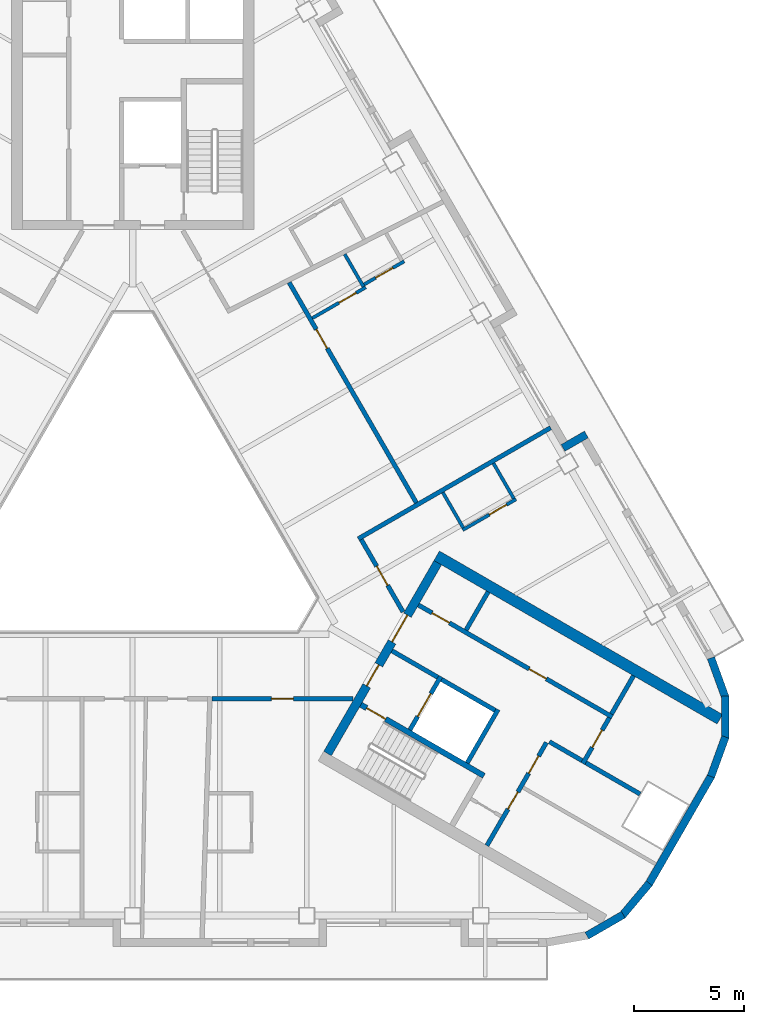
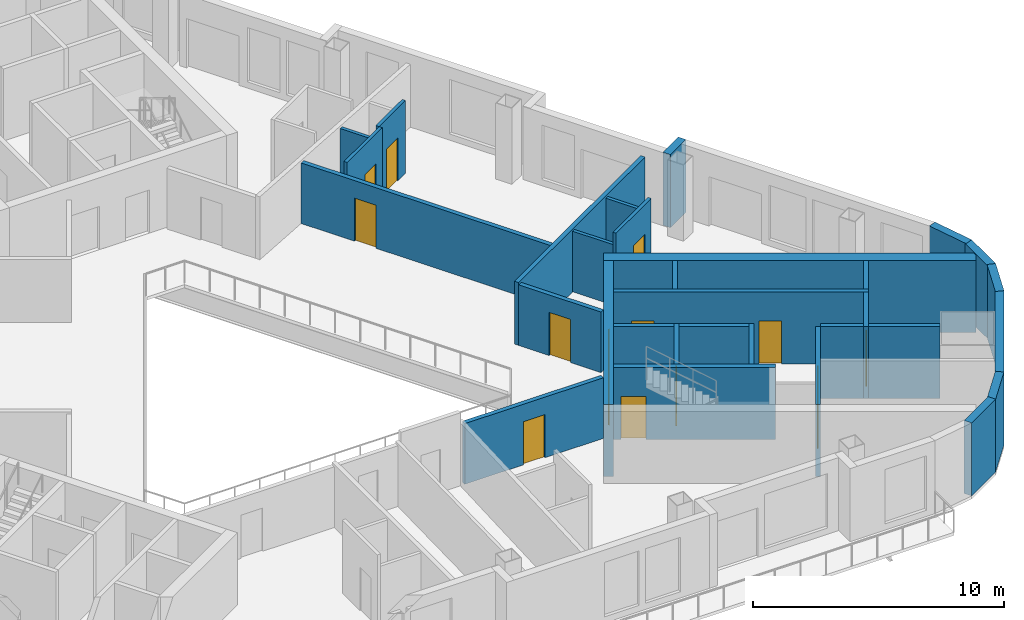
# One storey, part 5 of 14: 31 walls, 15 doors, 15 openings.
"""IFC4 building model written with IfcOpenShell, lengths in metres."""

from ifc_helpers import new_model, si_unit, direction, frame, frame_2d, origin, place, context, subcontext, project, spatial, rectangle, extrude, material, layer, layer_set, type_object, element, fill, save


model = new_model("IFC4")

# Units and contexts
model_context = context("Model", 3, precision=1e-05, world=origin(), true_north=direction((0.0, 1.0)))
body_context = subcontext(model_context, "Body", "Model", "MODEL_VIEW")
ifc_project = project(units=[si_unit("LENGTHUNIT", "METRE"), si_unit("AREAUNIT", "SQUARE_METRE"), si_unit("VOLUMEUNIT", "CUBIC_METRE"), si_unit("PLANEANGLEUNIT", "RADIAN"), si_unit("MASSUNIT", "GRAM", prefix="KILO")], contexts=[model_context])

# Site, building, storey
site_placement = place(None, origin())
site = spatial("IfcSite", under=ifc_project, at=site_placement, CompositionType="ELEMENT")
building_placement = place(site_placement, origin())
building = spatial("IfcBuilding", under=site, at=building_placement, Name="Apuvela Tower Hotel", CompositionType="ELEMENT")
storey_placement = place(building_placement, frame((0.0, 0.0, 209.5)))
storey = spatial("IfcBuildingStorey", under=building, at=storey_placement, Name="L51", CompositionType="ELEMENT", Elevation=209.5)

# Wall, openings, doors
ifc_material_1 = material(Name="Concrete C50/60", Category="concrete")
ifc_layer_1 = layer(ifc_material_1, 0.39990234375)
ifc_layer_set_1 = layer_set([ifc_layer_1], Name="COR-WALL-CORE-400")
wall_type_1 = type_object("IfcWallType", Name="COR-WALL-CORE-400", PredefinedType="SHEAR", material=ifc_layer_set_1)
wall_1_placement = place(storey_placement, frame((8.844970703125, -10.880126953125, 0.0), z_axis=(0.0, 0.0, 1.0), x_axis=(0.500004234368, 0.866022959057, 0.0)))
wall_1 = element("IfcWall", 1, at=wall_1_placement, inside=storey, type_object=wall_type_1, Name="Core wall SE", PredefinedType="SHEAR", context=body_context, shape_type="SweptSolid", body=[
    extrude(rectangle(XDim=10.0, YDim=0.39990234375, at=frame_2d((5.0, 0.0))), origin(), (0.0, 0.0, 1.0), 3.5),
])
opening_1_placement = place(wall_1_placement, frame((3.550048828125, 0.0, 0.0)))
opening_1 = element("IfcOpeningElement", 2, at=opening_1_placement, cuts=wall_1, Name="Opening E-FD", PredefinedType="OPENING", context=body_context, shape_type="SweptSolid", body=[
    extrude(rectangle(XDim=1.10009765625, YDim=2.10009765625, at=frame_2d((0.550048828125, 1.050048828125))), frame((0.0, 0.2099609375, 0.0), z_axis=(0.0, -1.0, 0.0), x_axis=(1.0, 0.0, 0.0)), (0.0, 0.0, 1.0), 0.419921875),
])
opening_2_placement = place(wall_1_placement, frame((5.85009765625, 0.0, 0.0)))
opening_2 = element("IfcOpeningElement", 3, at=opening_2_placement, cuts=wall_1, Name="Opening E-GD", PredefinedType="OPENING", context=body_context, shape_type="SweptSolid", body=[
    extrude(rectangle(XDim=1.39990234375, YDim=2.10009765625, at=frame_2d((0.699951171875, 1.050048828125))), frame((0.0, 0.2099609375, 0.0), z_axis=(0.0, -1.0, 0.0), x_axis=(1.0, 0.0, 0.0)), (0.0, 0.0, 1.0), 0.419921875),
])
ifc_material_2 = material(Name="Steel fire door, powder coated", Category="steel")
door_type_1 = type_object("IfcDoorType", Name="COR-FD-1100", OperationType="NOTDEFINED", PredefinedType="DOOR", material=ifc_material_2)
door_1_placement = place(opening_1_placement, frame((1.10009765625, 0.0, 0.0), z_axis=(0.0, 0.0, 1.0), x_axis=(-1.0, 0.0, 0.0)))
door_1 = element("IfcDoor", 4, at=door_1_placement, inside=storey, type_object=door_type_1, Name="Firefighting lobby door E-FD", OperationType="SINGLE_SWING_LEFT", OverallHeight=2.10009765625, OverallWidth=1.10009765625, PredefinedType="DOOR", context=body_context, shape_type="SweptSolid", body=[
    extrude(rectangle(XDim=1.10009765625, YDim=2.10009765625, at=frame_2d((0.550048828125, 1.050048828125))), frame((0.0, 0.02490234375, 0.0), z_axis=(0.0, -1.0, 0.0), x_axis=(1.0, 0.0, 0.0)), (0.0, 0.0, 1.0), 0.050048828125),
])
fill(opening_1, door_1)
ifc_material_3 = material(Name="Glazed steel fire door", Category="steel")
door_type_2 = type_object("IfcDoorType", Name="COR-GD-1400", OperationType="DOUBLE_DOOR_SINGLE_SWING", PredefinedType="DOOR", material=ifc_material_3)
door_2_placement = place(opening_2_placement, frame((1.39990234375, 0.0, 0.0), z_axis=(0.0, 0.0, 1.0), x_axis=(-1.0, 0.0, 0.0)))
door_2 = element("IfcDoor", 5, at=door_2_placement, inside=storey, type_object=door_type_2, Name="Lift lobby door E-GD", OperationType="DOUBLE_DOOR_SINGLE_SWING", OverallHeight=2.10009765625, OverallWidth=1.39990234375, PredefinedType="DOOR", context=body_context, shape_type="SweptSolid", body=[
    extrude(rectangle(XDim=1.39990234375, YDim=2.10009765625, at=frame_2d((0.699951171875, 1.050048828125))), frame((0.0, 0.02490234375, 0.0), z_axis=(0.0, -1.0, 0.0), x_axis=(1.0, 0.0, 0.0)), (0.0, 0.0, 1.0), 0.050048828125),
])
fill(opening_2, door_2)

# Wall
ifc_layer_2 = layer(ifc_material_1, 0.5)
ifc_layer_set_2 = layer_set([ifc_layer_2], Name="COR-WALL-CORE-500")
wall_type_2 = type_object("IfcWallType", Name="COR-WALL-CORE-500", PredefinedType="SHEAR", material=ifc_layer_set_2)
wall_2_placement = place(storey_placement, frame((13.796630859375, -1.9033203125, 0.0), z_axis=(0.0, 0.0, 1.0), x_axis=(0.866025009528, -0.500000682871, 0.0)))
element("IfcWall", 6, at=wall_2_placement, inside=storey, type_object=wall_type_2, Name="Core wall SE", PredefinedType="SHEAR", context=body_context, shape_type="SweptSolid", body=[
    extrude(rectangle(XDim=14.8369140625, YDim=0.5, at=frame_2d((7.41845703125, 0.0))), origin(), (0.0, 0.0, 1.0), 3.5),
])

# Wall, openings, doors
ifc_material_4 = material(Name="Blockwork 200 mm plastered", Category="masonry")
ifc_layer_3 = layer(ifc_material_4, 0.199951171875)
ifc_layer_set_3 = layer_set([ifc_layer_3], Name="COR-WALL-PART-200")
wall_type_3 = type_object("IfcWallType", Name="COR-WALL-PART-200", PredefinedType="PARTITIONING", material=ifc_layer_set_3)
wall_3_placement = place(storey_placement, frame((16.076171875, -15.05517578125, 0.0), z_axis=(0.0, 0.0, 1.0), x_axis=(0.499995103361, 0.866028230842, 0.0)))
wall_3 = element("IfcWall", 7, at=wall_3_placement, inside=storey, type_object=wall_type_3, Name="Partition SE", PredefinedType="PARTITIONING", context=body_context, shape_type="SweptSolid", body=[
    extrude(rectangle(XDim=5.39990234375, YDim=0.199951171875, at=frame_2d((2.699951171875, 0.0))), origin(), (0.0, 0.0, 1.0), 3.5),
])
opening_3_placement = place(wall_3_placement, frame((1.91259765625, 0.0, 0.0)))
opening_3 = element("IfcOpeningElement", 8, at=opening_3_placement, cuts=wall_3, Name="Opening E-RS1", PredefinedType="OPENING", context=body_context, shape_type="SweptSolid", body=[
    extrude(rectangle(XDim=0.89990234375, YDim=2.10009765625, at=frame_2d((0.449951171875, 1.050048828125))), frame((0.0, 0.10986328125, 0.0), z_axis=(0.0, -1.0, 0.0), x_axis=(1.0, 0.0, 0.0)), (0.0, 0.0, 1.0), 0.219970703125),
])
opening_4_placement = place(wall_3_placement, frame((3.78759765625, 0.0, 0.0)))
opening_4 = element("IfcOpeningElement", 9, at=opening_4_placement, cuts=wall_3, Name="Opening E-RS2", PredefinedType="OPENING", context=body_context, shape_type="SweptSolid", body=[
    extrude(rectangle(XDim=0.89990234375, YDim=2.10009765625, at=frame_2d((0.449951171875, 1.050048828125))), frame((0.0, 0.10986328125, 0.0), z_axis=(0.0, -1.0, 0.0), x_axis=(1.0, 0.0, 0.0)), (0.0, 0.0, 1.0), 0.219970703125),
])
door_type_3 = type_object("IfcDoorType", Name="COR-DR-900", OperationType="NOTDEFINED", PredefinedType="DOOR", material=ifc_material_2)
door_3_placement = place(opening_3_placement, frame((0.89990234375, 0.0, 0.0), z_axis=(0.0, 0.0, 1.0), x_axis=(-1.0, 0.0, 0.0)))
door_3 = element("IfcDoor", 10, at=door_3_placement, inside=storey, type_object=door_type_3, Name="Store door E-RS1", OperationType="SINGLE_SWING_LEFT", OverallHeight=2.10009765625, OverallWidth=0.89990234375, PredefinedType="DOOR", context=body_context, shape_type="SweptSolid", body=[
    extrude(rectangle(XDim=0.89990234375, YDim=2.10009765625, at=frame_2d((0.449951171875, 1.050048828125))), frame((0.0, 0.02490234375, 0.0), z_axis=(0.0, -1.0, 0.0), x_axis=(1.0, 0.0, 0.0)), (0.0, 0.0, 1.0), 0.050048828125),
])
fill(opening_3, door_3)
door_4_placement = place(opening_4_placement, frame((0.89990234375, 0.0, 0.0), z_axis=(0.0, 0.0, 1.0), x_axis=(-1.0, 0.0, 0.0)))
door_4 = element("IfcDoor", 11, at=door_4_placement, inside=storey, type_object=door_type_3, Name="Store door E-RS2", OperationType="SINGLE_SWING_LEFT", OverallHeight=2.10009765625, OverallWidth=0.89990234375, PredefinedType="DOOR", context=body_context, shape_type="SweptSolid", body=[
    extrude(rectangle(XDim=0.89990234375, YDim=2.10009765625, at=frame_2d((0.449951171875, 1.050048828125))), frame((0.0, 0.02490234375, 0.0), z_axis=(0.0, -1.0, 0.0), x_axis=(1.0, 0.0, 0.0)), (0.0, 0.0, 1.0), 0.050048828125),
])
fill(opening_4, door_4)

# Wall
ifc_layer_4 = layer(ifc_material_1, 0.199951171875)
ifc_layer_set_4 = layer_set([ifc_layer_4], Name="COR-WALL-SHAFT-200")
wall_type_4 = type_object("IfcWallType", Name="COR-WALL-SHAFT-200", PredefinedType="SHEAR", material=ifc_layer_set_4)
wall_4_placement = place(storey_placement, frame((15.181396484375, -11.305419921875, 0.0), z_axis=(0.0, 0.0, 1.0), x_axis=(0.49994636267, 0.866056369097, 0.0)))
element("IfcWall", 12, at=wall_4_placement, inside=storey, type_object=wall_type_4, Name="Shaft wall SE", PredefinedType="SHEAR", context=body_context, shape_type="SweptSolid", body=[
    extrude(rectangle(XDim=2.800048828125, YDim=0.199951171875, at=frame_2d((1.39990234375, 0.0))), origin(), (0.0, 0.0, 1.0), 3.5),
])

# Wall, opening, door
wall_5_placement = place(storey_placement, frame((12.583251953125, -9.805419921875, 0.0), z_axis=(0.0, 0.0, 1.0), x_axis=(0.49994636267, 0.866056369097, 0.0)))
wall_5 = element("IfcWall", 13, at=wall_5_placement, inside=storey, type_object=wall_type_4, Name="Shaft wall SE", PredefinedType="SHEAR", context=body_context, shape_type="SweptSolid", body=[
    extrude(rectangle(XDim=2.800048828125, YDim=0.199951171875, at=frame_2d((1.39990234375, 0.0))), origin(), (0.0, 0.0, 1.0), 3.5),
])
opening_5_placement = place(wall_5_placement, frame((0.699951171875, 0.0, 0.0)))
opening_5 = element("IfcOpeningElement", 14, at=opening_5_placement, cuts=wall_5, Name="Opening E-LD-FS3", PredefinedType="OPENING", context=body_context, shape_type="SweptSolid", body=[
    extrude(rectangle(XDim=1.199951171875, YDim=2.10009765625, at=frame_2d((0.60009765625, 1.050048828125))), frame((0.0, 0.10986328125, 0.0), z_axis=(0.0, -1.0, 0.0), x_axis=(1.0, 0.0, 0.0)), (0.0, 0.0, 1.0), 0.219970703125),
])
ifc_material_5 = material(Name="Stainless steel lift landing door", Category="steel")
door_type_4 = type_object("IfcDoorType", Name="COR-LD-1200", OperationType="DOUBLE_DOOR_SLIDING", PredefinedType="DOOR", material=ifc_material_5)
door_5_placement = place(opening_5_placement, origin())
door_5 = element("IfcDoor", 15, at=door_5_placement, inside=storey, type_object=door_type_4, Name="Lift landing door E-LD-FS3", OperationType="DOUBLE_DOOR_SLIDING", OverallHeight=2.10009765625, OverallWidth=1.199951171875, PredefinedType="DOOR", context=body_context, shape_type="SweptSolid", body=[
    extrude(rectangle(XDim=1.199951171875, YDim=2.10009765625, at=frame_2d((0.60009765625, 1.050048828125))), frame((0.0, 0.02490234375, 0.0), z_axis=(0.0, -1.0, 0.0), x_axis=(1.0, 0.0, 0.0)), (0.0, 0.0, 1.0), 0.050048828125),
])
fill(opening_5, door_5)

# Walls
wall_6_placement = place(storey_placement, frame((11.76806640625, -6.217041015625, 0.0), z_axis=(0.0, 0.0, 1.0), x_axis=(0.866050077142, -0.499957262057, 0.0)))
element("IfcWall", 16, at=wall_6_placement, inside=storey, type_object=wall_type_4, Name="Shaft wall SE", PredefinedType="SHEAR", context=body_context, shape_type="SweptSolid", body=[
    extrude(rectangle(XDim=2.400146484375, YDim=0.199951171875, at=frame_2d((1.2001953125, 0.0))), origin(), (0.0, 0.0, 1.0), 3.5),
])
wall_7_placement = place(storey_placement, frame((14.019775390625, -7.51708984375, 0.0), z_axis=(0.0, 0.0, 1.0), x_axis=(0.866034573852, -0.49998411664, 0.0)))
element("IfcWall", 17, at=wall_7_placement, inside=storey, type_object=wall_type_4, Name="Shaft wall SE", PredefinedType="SHEAR", context=body_context, shape_type="SweptSolid", body=[
    extrude(rectangle(XDim=2.7998046875, YDim=0.199951171875, at=frame_2d((1.39990234375, 0.0))), origin(), (0.0, 0.0, 1.0), 3.5),
])

# Wall, openings, doors
wall_8_placement = place(storey_placement, frame((12.968017578125, -4.138427734375, 0.0), z_axis=(0.0, 0.0, 1.0), x_axis=(0.866028328073, -0.49999493495, 0.0)))
wall_8 = element("IfcWall", 18, at=wall_8_placement, inside=storey, type_object=wall_type_4, Name="Shaft wall SE", PredefinedType="SHEAR", context=body_context, shape_type="SweptSolid", body=[
    extrude(rectangle(XDim=10.16015625, YDim=0.199951171875, at=frame_2d((5.080078125, 0.0))), origin(), (0.0, 0.0, 1.0), 3.5),
])
opening_6_placement = place(wall_8_placement, frame((0.719970703125, 0.0, 0.0)))
opening_6 = element("IfcOpeningElement", 19, at=opening_6_placement, cuts=wall_8, Name="Opening E-RE1", PredefinedType="OPENING", context=body_context, shape_type="SweptSolid", body=[
    extrude(rectangle(XDim=0.89990234375, YDim=2.10009765625, at=frame_2d((0.449951171875, 1.050048828125))), frame((0.0, 0.10986328125, 0.0), z_axis=(0.0, -1.0, 0.0), x_axis=(1.0, 0.0, 0.0)), (0.0, 0.0, 1.0), 0.219970703125),
])
opening_7_placement = place(wall_8_placement, frame((5.800048828125, 0.0, 0.0)))
opening_7 = element("IfcOpeningElement", 20, at=opening_7_placement, cuts=wall_8, Name="Opening E-RE2", PredefinedType="OPENING", context=body_context, shape_type="SweptSolid", body=[
    extrude(rectangle(XDim=0.89990234375, YDim=2.10009765625, at=frame_2d((0.449951171875, 1.050048828125))), frame((0.0, 0.10986328125, 0.0), z_axis=(0.0, -1.0, 0.0), x_axis=(1.0, 0.0, 0.0)), (0.0, 0.0, 1.0), 0.219970703125),
])
door_6_placement = place(opening_6_placement, origin())
door_6 = element("IfcDoor", 21, at=door_6_placement, inside=storey, type_object=door_type_3, Name="Store door E-RE1", OperationType="SINGLE_SWING_LEFT", OverallHeight=2.10009765625, OverallWidth=0.89990234375, PredefinedType="DOOR", context=body_context, shape_type="SweptSolid", body=[
    extrude(rectangle(XDim=0.89990234375, YDim=2.10009765625, at=frame_2d((0.449951171875, 1.050048828125))), frame((0.0, 0.02490234375, 0.0), z_axis=(0.0, -1.0, 0.0), x_axis=(1.0, 0.0, 0.0)), (0.0, 0.0, 1.0), 0.050048828125),
])
fill(opening_6, door_6)
door_7_placement = place(opening_7_placement, origin())
door_7 = element("IfcDoor", 22, at=door_7_placement, inside=storey, type_object=door_type_3, Name="Store door E-RE2", OperationType="SINGLE_SWING_LEFT", OverallHeight=2.10009765625, OverallWidth=0.89990234375, PredefinedType="DOOR", context=body_context, shape_type="SweptSolid", body=[
    extrude(rectangle(XDim=0.89990234375, YDim=2.10009765625, at=frame_2d((0.449951171875, 1.050048828125))), frame((0.0, 0.02490234375, 0.0), z_axis=(0.0, -1.0, 0.0), x_axis=(1.0, 0.0, 0.0)), (0.0, 0.0, 1.0), 0.050048828125),
])
fill(opening_7, door_7)

# Wall, opening, door
wall_9_placement = place(storey_placement, frame((20.430419921875, -11.33349609375, 0.0), z_axis=(0.0, 0.0, 1.0), x_axis=(0.500001309137, 0.866024647952, 0.0)))
wall_9 = element("IfcWall", 23, at=wall_9_placement, inside=storey, type_object=wall_type_4, Name="Shaft wall SE", PredefinedType="SHEAR", context=body_context, shape_type="SweptSolid", body=[
    extrude(rectangle(XDim=2.39990234375, YDim=0.199951171875, at=frame_2d((1.199951171875, 0.0))), origin(), (0.0, 0.0, 1.0), 3.5),
])
opening_8_placement = place(wall_9_placement, frame((0.85009765625, 0.0, 0.0)))
opening_8 = element("IfcOpeningElement", 24, at=opening_8_placement, cuts=wall_9, Name="Opening E-REP", PredefinedType="OPENING", context=body_context, shape_type="SweptSolid", body=[
    extrude(rectangle(XDim=0.89990234375, YDim=2.10009765625, at=frame_2d((0.449951171875, 1.050048828125))), frame((0.0, 0.10986328125, 0.0), z_axis=(0.0, -1.0, 0.0), x_axis=(1.0, 0.0, 0.0)), (0.0, 0.0, 1.0), 0.219970703125),
])
door_8_placement = place(opening_8_placement, frame((0.89990234375, 0.0, 0.0), z_axis=(0.0, 0.0, 1.0), x_axis=(-1.0, 0.0, 0.0)))
door_8 = element("IfcDoor", 25, at=door_8_placement, inside=storey, type_object=door_type_3, Name="Store door E-REP", OperationType="SINGLE_SWING_RIGHT", OverallHeight=2.10009765625, OverallWidth=0.89990234375, PredefinedType="DOOR", context=body_context, shape_type="SweptSolid", body=[
    extrude(rectangle(XDim=0.89990234375, YDim=2.10009765625, at=frame_2d((0.449951171875, 1.050048828125))), frame((0.0, 0.02490234375, 0.0), z_axis=(0.0, -1.0, 0.0), x_axis=(1.0, 0.0, 0.0)), (0.0, 0.0, 1.0), 0.050048828125),
])
fill(opening_8, door_8)

# Walls
wall_10_placement = place(storey_placement, frame((18.912841796875, -10.342041015625, 0.0), z_axis=(0.0, 0.0, 1.0), x_axis=(0.866038183914, -0.499977863513, 0.0)))
element("IfcWall", 26, at=wall_10_placement, inside=storey, type_object=wall_type_4, Name="Shaft wall SE", PredefinedType="SHEAR", context=body_context, shape_type="SweptSolid", body=[
    extrude(rectangle(XDim=1.7099609375, YDim=0.199951171875, at=frame_2d((0.85498046875, 0.0))), origin(), (0.0, 0.0, 1.0), 3.5),
])
for number, where, z_axis, x_axis, name in (
    (27, (15.131103515625, -5.27197265625, 0.0), (0.0, 0.0, 1.0), (0.499972520799, 0.866041268327, 0.0), "Shaft wall SE"),
    (28, (21.73046875, -9.081787109375, 0.0), (0.0, 0.0, 1.0), (0.50002537861, 0.866010750942, 0.0), "Shaft wall SE"),
):
    element("IfcWall", number, at=place(storey_placement, frame(where, z_axis=z_axis, x_axis=x_axis)), inside=storey, type_object=wall_type_4, Name=name, PredefinedType="SHEAR", context=body_context, shape_type="SweptSolid", body=[
        extrude(rectangle(XDim=2.0, YDim=0.199951171875, at=frame_2d((1.0, 0.0))), origin(), (0.0, 0.0, 1.0), 3.5),
    ])
wall_11_placement = place(storey_placement, frame((20.56689453125, -11.297119140625, 0.0), z_axis=(0.0, 0.0, 1.0), x_axis=(0.866055327414, -0.49994816717, 0.0)))
element("IfcWall", 29, at=wall_11_placement, inside=storey, type_object=wall_type_4, Name="Shaft wall SE", PredefinedType="SHEAR", context=body_context, shape_type="SweptSolid", body=[
    extrude(rectangle(XDim=2.840087890625, YDim=0.199951171875, at=frame_2d((1.419921875, 0.0))), origin(), (0.0, 0.0, 1.0), 3.5),
])

# Wall, opening, door
ifc_layer_5 = layer(ifc_material_1, 0.25)
ifc_layer_set_5 = layer_set([ifc_layer_5], Name="COR-WALL-STAIR-250")
wall_type_5 = type_object("IfcWallType", Name="COR-WALL-STAIR-250", PredefinedType="SHEAR", material=ifc_layer_set_5)
wall_12_placement = place(storey_placement, frame((10.355712890625, -8.66357421875, 0.0), z_axis=(0.0, 0.0, 1.0), x_axis=(0.866028629588, -0.499994412703, 0.0)))
wall_12 = element("IfcWall", 30, at=wall_12_placement, inside=storey, type_object=wall_type_5, Name="Stair wall SE", PredefinedType="SHEAR", context=body_context, shape_type="SweptSolid", body=[
    extrude(rectangle(XDim=6.44970703125, YDim=0.25, at=frame_2d((3.224853515625, 0.0))), origin(), (0.0, 0.0, 1.0), 3.5),
])
opening_9_placement = place(wall_12_placement, frame((0.300048828125, 0.0, 0.0)))
opening_9 = element("IfcOpeningElement", 31, at=opening_9_placement, cuts=wall_12, Name="Opening E-SD", PredefinedType="OPENING", context=body_context, shape_type="SweptSolid", body=[
    extrude(rectangle(XDim=1.0, YDim=2.10009765625, at=frame_2d((0.5, 1.050048828125))), frame((0.0, 0.135009765625, 0.0), z_axis=(0.0, -1.0, 0.0), x_axis=(1.0, 0.0, 0.0)), (0.0, 0.0, 1.0), 0.27001953125),
])
door_type_5 = type_object("IfcDoorType", Name="COR-SD-1000", OperationType="NOTDEFINED", PredefinedType="DOOR", material=ifc_material_2)
door_9_placement = place(opening_9_placement, frame((1.0, 0.0, 0.0), z_axis=(0.0, 0.0, 1.0), x_axis=(-1.0, 0.0, 0.0)))
door_9 = element("IfcDoor", 32, at=door_9_placement, inside=storey, type_object=door_type_5, Name="Stair door E-SD", OperationType="SINGLE_SWING_LEFT", OverallHeight=2.10009765625, OverallWidth=1.0, PredefinedType="DOOR", context=body_context, shape_type="SweptSolid", body=[
    extrude(rectangle(XDim=1.0, YDim=2.10009765625, at=frame_2d((0.5, 1.050048828125))), frame((0.0, 0.02490234375, 0.0), z_axis=(0.0, -1.0, 0.0), x_axis=(1.0, 0.0, 0.0)), (0.0, 0.0, 1.0), 0.050048828125),
])
fill(opening_9, door_9)

# Walls
ifc_material_6 = material(Name="Concrete C40/50, dark pigmented precast panel", Category="concrete")
ifc_layer_6 = layer(ifc_material_6, 0.35009765625)
ifc_layer_set_6 = layer_set([ifc_layer_6], Name="ENV-WALL-350")
wall_type_6 = type_object("IfcWallType", Name="ENV-WALL-350", PredefinedType="SOLIDWALL", material=ifc_layer_set_6)
for number, where, z_axis, x_axis, name in (
    (33, (20.609619140625, -19.146728515625, 0.0), (0.0, 0.0, 1.0), (0.866000389056, 0.500043324278, 0.0), "External wall L51-27"),
    (34, (22.21728515625, -18.230712890625, 0.0), (0.0, 0.0, 1.0), (0.642733291068, 0.76609001857, 0.0), "External wall L51-28"),
):
    element("IfcWall", number, at=place(storey_placement, frame(where, z_axis=z_axis, x_axis=x_axis)), inside=storey, type_object=wall_type_6, Name=name, PredefinedType="SOLIDWALL", context=body_context, shape_type="SweptSolid", body=[
        extrude(rectangle(XDim=1.909912109375, YDim=0.35009765625, at=frame_2d((0.955078125, 0.0))), origin(), (0.0, 0.0, 1.0), 3.550048828125),
    ])
wall_13_placement = place(storey_placement, frame((23.427490234375, -16.79248046875, 0.0), z_axis=(0.0, 0.0, 1.0), x_axis=(0.500018773155, 0.866014564827, 0.0)))
element("IfcWall", 35, at=wall_13_placement, inside=storey, type_object=wall_type_6, Name="External wall L51-29", PredefinedType="SOLIDWALL", context=body_context, shape_type="SweptSolid", body=[
    extrude(rectangle(XDim=5.657958984375, YDim=0.35009765625, at=frame_2d((2.8291015625, 0.0))), origin(), (0.0, 0.0, 1.0), 3.550048828125),
])
for number, where, z_axis, x_axis, name in (
    (36, (26.24365234375, -11.920166015625, 0.0), (0.0, 0.0, 1.0), (0.342030395486, 0.939688889242, 0.0), "External wall L51-30"),
    (37, (26.88623046875, -10.18505859375, 0.0), (0.0, 0.0, 1.0), (0.0, 1.0, 0.0), "External wall L51-31"),
    (38, (26.89697265625, -8.334716796875, 0.0), (0.0, 0.0, 1.0), (-0.342030395486, 0.939688889242, 0.0), "External wall L51-32"),
):
    element("IfcWall", number, at=place(storey_placement, frame(where, z_axis=z_axis, x_axis=x_axis)), inside=storey, type_object=wall_type_6, Name=name, PredefinedType="SOLIDWALL", context=body_context, shape_type="SweptSolid", body=[
        extrude(rectangle(XDim=1.91015625, YDim=0.35009765625, at=frame_2d((0.955078125, 0.0))), origin(), (0.0, 0.0, 1.0), 3.550048828125),
    ])
wall_14_placement = place(storey_placement, frame((20.587646484375, 3.601318359375, 0.0), z_axis=(0.0, 0.0, 1.0), x_axis=(-0.866005645448, -0.500034220881, 0.0)))
element("IfcWall", 39, at=wall_14_placement, inside=storey, type_object=wall_type_6, Name="External wall L51-34", PredefinedType="SOLIDWALL", context=body_context, shape_type="SweptSolid", body=[
    extrude(rectangle(XDim=1.22021484375, YDim=0.35009765625, at=frame_2d((0.610107421875, 0.0))), origin(), (0.0, 0.0, 1.0), 3.550048828125),
])
ifc_material_7 = material(Name="Gypsum board partition on twin steel stud", Category="steel")
ifc_layer_7 = layer(ifc_material_7, 0.199951171875)
ifc_layer_set_7 = layer_set([ifc_layer_7], Name="GST-PW1")
wall_type_7 = type_object("IfcWallType", Name="GST-PW1", PredefinedType="PARTITIONING", material=ifc_layer_set_7)
wall_15_placement = place(storey_placement, frame((18.967529296875, 3.9072265625, 0.0), z_axis=(0.0, 0.0, 1.0), x_axis=(-0.866022637375, -0.500004791531, 0.0)))
element("IfcWall", 40, at=wall_15_placement, inside=storey, type_object=wall_type_7, Name="L51 partition 03", PredefinedType="PARTITIONING", context=body_context, shape_type="SweptSolid", body=[
    extrude(rectangle(XDim=10.080078125, YDim=0.199951171875, at=frame_2d((5.0400390625, 0.0))), origin(), (0.0, 0.0, 1.0), 3.06005859375),
])

# Wall, opening, door
ifc_material_8 = material(Name="Gypsum board corridor wall on twin steel stud, acoustic", Category="steel")
ifc_layer_8 = layer(ifc_material_8, 0.199951171875)
ifc_layer_set_8 = layer_set([ifc_layer_8], Name="GST-PW2")
wall_type_8 = type_object("IfcWallType", Name="GST-PW2", PredefinedType="PARTITIONING", material=ifc_layer_set_8)
wall_16_placement = place(storey_placement, frame((9.98828125, -8.39990234375, 0.0), z_axis=(0.0, 0.0, 1.0), x_axis=(-1.0, 0.0, 0.0)))
wall_16 = element("IfcWall", 41, at=wall_16_placement, inside=storey, type_object=wall_type_8, Name="L51 partition 14", PredefinedType="PARTITIONING", context=body_context, shape_type="SweptSolid", body=[
    extrude(rectangle(XDim=6.385009765625, YDim=0.199951171875, at=frame_2d((3.1923828125, 0.0))), origin(), (0.0, 0.0, 1.0), 2.949951171875),
])
opening_10_placement = place(wall_16_placement, frame((2.6923828125, 0.0, 0.0)))
opening_10 = element("IfcOpeningElement", 42, at=opening_10_placement, cuts=wall_16, Name="Opening GD20-06", PredefinedType="OPENING", context=body_context, shape_type="SweptSolid", body=[
    extrude(rectangle(XDim=1.0, YDim=2.10009765625, at=frame_2d((0.5, 1.050048828125))), frame((0.0, 0.10986328125, 0.0), z_axis=(0.0, -1.0, 0.0), x_axis=(1.0, 0.0, 0.0)), (0.0, 0.0, 1.0), 0.219970703125),
])
ifc_material_9 = material(Name="Timber door leaf in steel frame", Category="steel")
door_type_6 = type_object("IfcDoorType", Name="GST-D1", OperationType="NOTDEFINED", PredefinedType="DOOR", material=ifc_material_9)
door_10_placement = place(opening_10_placement, origin())
door_10 = element("IfcDoor", 43, at=door_10_placement, inside=storey, type_object=door_type_6, Name="Door L51-06", OperationType="SINGLE_SWING_RIGHT", OverallHeight=2.10009765625, OverallWidth=1.0, PredefinedType="DOOR", context=body_context, shape_type="SweptSolid", body=[
    extrude(rectangle(XDim=1.0, YDim=2.10009765625, at=frame_2d((0.5, 1.050048828125))), frame((0.0, 0.02490234375, 0.0), z_axis=(0.0, -1.0, 0.0), x_axis=(1.0, 0.0, 0.0)), (0.0, 0.0, 1.0), 0.050048828125),
])
fill(opening_10, door_10)

wall_17_placement = place(storey_placement, frame((10.37451171875, -1.16943359375, 0.0), z_axis=(0.0, 0.0, 1.0), x_axis=(0.500055316652, -0.865993464345, 0.0)))
wall_17 = element("IfcWall", 44, at=wall_17_placement, inside=storey, type_object=wall_type_8, Name="L51 partition 18", PredefinedType="PARTITIONING", context=body_context, shape_type="SweptSolid", body=[
    extrude(rectangle(XDim=3.7880859375, YDim=0.199951171875, at=frame_2d((1.89404296875, 0.0))), origin(), (0.0, 0.0, 1.0), 2.949951171875),
])
opening_11_placement = place(wall_17_placement, frame((1.39404296875, 0.0, 0.0)))
opening_11 = element("IfcOpeningElement", 45, at=opening_11_placement, cuts=wall_17, Name="Opening GD20-08", PredefinedType="OPENING", context=body_context, shape_type="SweptSolid", body=[
    extrude(rectangle(XDim=1.0, YDim=2.10009765625, at=frame_2d((0.5, 1.050048828125))), frame((0.0, 0.10986328125, 0.0), z_axis=(0.0, -1.0, 0.0), x_axis=(1.0, 0.0, 0.0)), (0.0, 0.0, 1.0), 0.219970703125),
])
door_11_placement = place(opening_11_placement, origin())
door_11 = element("IfcDoor", 46, at=door_11_placement, inside=storey, type_object=door_type_6, Name="Door L51-08", OperationType="SINGLE_SWING_LEFT", OverallHeight=2.10009765625, OverallWidth=1.0, PredefinedType="DOOR", context=body_context, shape_type="SweptSolid", body=[
    extrude(rectangle(XDim=1.0, YDim=2.10009765625, at=frame_2d((0.5, 1.050048828125))), frame((0.0, 0.02490234375, 0.0), z_axis=(0.0, -1.0, 0.0), x_axis=(1.0, 0.0, 0.0)), (0.0, 0.0, 1.0), 0.050048828125),
])
fill(opening_11, door_11)

wall_18_placement = place(storey_placement, frame((7.100830078125, 10.501220703125, 0.0), z_axis=(0.0, 0.0, 1.0), x_axis=(0.500001329633, -0.866024636119, 0.0)))
wall_18 = element("IfcWall", 47, at=wall_18_placement, inside=storey, type_object=wall_type_8, Name="L51 partition 22", PredefinedType="PARTITIONING", context=body_context, shape_type="SweptSolid", body=[
    extrude(rectangle(XDim=11.5439453125, YDim=0.199951171875, at=frame_2d((5.77197265625, 0.0))), origin(), (0.0, 0.0, 1.0), 2.949951171875),
])
opening_12_placement = place(wall_18_placement, frame((2.455322265625, 0.0, 0.0)))
opening_12 = element("IfcOpeningElement", 48, at=opening_12_placement, cuts=wall_18, Name="Opening GD20-11", PredefinedType="OPENING", context=body_context, shape_type="SweptSolid", body=[
    extrude(rectangle(XDim=1.0, YDim=2.10009765625, at=frame_2d((0.5, 1.050048828125))), frame((0.0, 0.10986328125, 0.0), z_axis=(0.0, -1.0, 0.0), x_axis=(1.0, 0.0, 0.0)), (0.0, 0.0, 1.0), 0.219970703125),
])
door_12_placement = place(opening_12_placement, origin())
door_12 = element("IfcDoor", 49, at=door_12_placement, inside=storey, type_object=door_type_6, Name="Door L51-11", OperationType="SINGLE_SWING_RIGHT", OverallHeight=2.10009765625, OverallWidth=1.0, PredefinedType="DOOR", context=body_context, shape_type="SweptSolid", body=[
    extrude(rectangle(XDim=1.0, YDim=2.10009765625, at=frame_2d((0.5, 1.050048828125))), frame((0.0, 0.02490234375, 0.0), z_axis=(0.0, -1.0, 0.0), x_axis=(1.0, 0.0, 0.0)), (0.0, 0.0, 1.0), 0.050048828125),
])
fill(opening_12, door_12)

ifc_material_10 = material(Name="Moisture-resistant gypsum board wet wall on steel stud", Category="steel")
ifc_layer_9 = layer(ifc_material_10, 0.14990234375)
ifc_layer_set_9 = layer_set([ifc_layer_9], Name="GST-PW3")
wall_type_9 = type_object("IfcWallType", Name="GST-PW3", PredefinedType="PARTITIONING", material=ifc_layer_set_9)
wall_19_placement = place(storey_placement, frame((14.974365234375, -0.736572265625, 0.0), z_axis=(0.0, 0.0, 1.0), x_axis=(0.866018616679, 0.500011755427, 0.0)))
wall_19 = element("IfcWall", 50, at=wall_19_placement, inside=storey, type_object=wall_type_9, Name="L51 partition 19", PredefinedType="PARTITIONING", context=body_context, shape_type="SweptSolid", body=[
    extrude(rectangle(XDim=2.80029296875, YDim=0.14990234375, at=frame_2d((1.400146484375, 0.0))), origin(), (0.0, 0.0, 1.0), 3.550048828125),
])
opening_13_placement = place(wall_19_placement, frame((1.39990234375, 0.0, 0.0)))
opening_13 = element("IfcOpeningElement", 51, at=opening_13_placement, cuts=wall_19, Name="Opening GD20-07", PredefinedType="OPENING", context=body_context, shape_type="SweptSolid", body=[
    extrude(rectangle(XDim=0.89990234375, YDim=2.10009765625, at=frame_2d((0.449951171875, 1.050048828125))), frame((0.0, 0.0849609375, 0.0), z_axis=(0.0, -1.0, 0.0), x_axis=(1.0, 0.0, 0.0)), (0.0, 0.0, 1.0), 0.169921875),
])
door_type_7 = type_object("IfcDoorType", Name="GST-D2", OperationType="NOTDEFINED", PredefinedType="DOOR", material=ifc_material_9)
door_13_placement = place(opening_13_placement, origin())
door_13 = element("IfcDoor", 52, at=door_13_placement, inside=storey, type_object=door_type_7, Name="Door L51-07", OperationType="SINGLE_SWING_RIGHT", OverallHeight=2.10009765625, OverallWidth=0.89990234375, PredefinedType="DOOR", context=body_context, shape_type="SweptSolid", body=[
    extrude(rectangle(XDim=0.89990234375, YDim=2.10009765625, at=frame_2d((0.449951171875, 1.050048828125))), frame((0.0, 0.02490234375, 0.0), z_axis=(0.0, -1.0, 0.0), x_axis=(1.0, 0.0, 0.0)), (0.0, 0.0, 1.0), 0.050048828125),
])
fill(opening_13, door_13)

# Walls
wall_20_placement = place(storey_placement, frame((17.296875, 0.69091796875, 0.0), z_axis=(0.0, 0.0, 1.0), x_axis=(-0.499985172903, 0.866033964044, 0.0)))
element("IfcWall", 53, at=wall_20_placement, inside=storey, type_object=wall_type_9, Name="L51 partition 20", PredefinedType="PARTITIONING", context=body_context, shape_type="SweptSolid", body=[
    extrude(rectangle(XDim=1.85009765625, YDim=0.14990234375, at=frame_2d((0.925048828125, 0.0))), origin(), (0.0, 0.0, 1.0), 2.949951171875),
])
wall_21_placement = place(storey_placement, frame((15.001953125, -0.634033203125, 0.0), z_axis=(0.0, 0.0, 1.0), x_axis=(-0.500042316284, 0.866000971088, 0.0)))
element("IfcWall", 54, at=wall_21_placement, inside=storey, type_object=wall_type_9, Name="L51 partition 21", PredefinedType="PARTITIONING", context=body_context, shape_type="SweptSolid", body=[
    extrude(rectangle(XDim=1.849853515625, YDim=0.14990234375, at=frame_2d((0.9248046875, 0.0))), origin(), (0.0, 0.0, 1.0), 2.949951171875),
])

# Wall, opening, door
wall_22_placement = place(storey_placement, frame((8.152587890625, 8.87939453125, 0.0), z_axis=(0.0, 0.0, 1.0), x_axis=(0.866034573852, 0.49998411664, 0.0)))
wall_22 = element("IfcWall", 55, at=wall_22_placement, inside=storey, type_object=wall_type_9, Name="L51 partition 23", PredefinedType="PARTITIONING", context=body_context, shape_type="SweptSolid", body=[
    extrude(rectangle(XDim=2.7998046875, YDim=0.14990234375, at=frame_2d((1.39990234375, 0.0))), origin(), (0.0, 0.0, 1.0), 3.550048828125),
])
opening_14_placement = place(wall_22_placement, frame((1.39990234375, 0.0, 0.0)))
opening_14 = element("IfcOpeningElement", 56, at=opening_14_placement, cuts=wall_22, Name="Opening GD20-09", PredefinedType="OPENING", context=body_context, shape_type="SweptSolid", body=[
    extrude(rectangle(XDim=0.89990234375, YDim=2.10009765625, at=frame_2d((0.449951171875, 1.050048828125))), frame((0.0, 0.0849609375, 0.0), z_axis=(0.0, -1.0, 0.0), x_axis=(1.0, 0.0, 0.0)), (0.0, 0.0, 1.0), 0.169921875),
])
door_14_placement = place(opening_14_placement, origin())
door_14 = element("IfcDoor", 57, at=door_14_placement, inside=storey, type_object=door_type_7, Name="Door L51-09", OperationType="SINGLE_SWING_RIGHT", OverallHeight=2.10009765625, OverallWidth=0.89990234375, PredefinedType="DOOR", context=body_context, shape_type="SweptSolid", body=[
    extrude(rectangle(XDim=0.89990234375, YDim=2.10009765625, at=frame_2d((0.449951171875, 1.050048828125))), frame((0.0, 0.02490234375, 0.0), z_axis=(0.0, -1.0, 0.0), x_axis=(1.0, 0.0, 0.0)), (0.0, 0.0, 1.0), 0.050048828125),
])
fill(opening_14, door_14)

# Wall
wall_23_placement = place(storey_placement, frame((10.47509765625, 10.306884765625, 0.0), z_axis=(0.0, 0.0, 1.0), x_axis=(-0.500069835465, 0.865985080505, 0.0)))
element("IfcWall", 58, at=wall_23_placement, inside=storey, type_object=wall_type_9, Name="L51 partition 24", PredefinedType="PARTITIONING", context=body_context, shape_type="SweptSolid", body=[
    extrude(rectangle(XDim=1.703369140625, YDim=0.14990234375, at=frame_2d((0.8515625, 0.0))), origin(), (0.0, 0.0, 1.0), 2.949951171875),
])

# Wall, opening, door
wall_24_placement = place(storey_placement, frame((10.502685546875, 10.40869140625, 0.0), z_axis=(0.0, 0.0, 1.0), x_axis=(0.866009402589, 0.500027713859, 0.0)))
wall_24 = element("IfcWall", 59, at=wall_24_placement, inside=storey, type_object=wall_type_9, Name="L51 partition 25", PredefinedType="PARTITIONING", context=body_context, shape_type="SweptSolid", body=[
    extrude(rectangle(XDim=2.10009765625, YDim=0.14990234375, at=frame_2d((1.050048828125, 0.0))), origin(), (0.0, 0.0, 1.0), 3.550048828125),
])
opening_15_placement = place(wall_24_placement, frame((0.60009765625, 0.0, 0.0)))
opening_15 = element("IfcOpeningElement", 60, at=opening_15_placement, cuts=wall_24, Name="Opening GD20-10", PredefinedType="OPENING", context=body_context, shape_type="SweptSolid", body=[
    extrude(rectangle(XDim=0.89990234375, YDim=2.10009765625, at=frame_2d((0.449951171875, 1.050048828125))), frame((0.0, 0.0849609375, 0.0), z_axis=(0.0, -1.0, 0.0), x_axis=(1.0, 0.0, 0.0)), (0.0, 0.0, 1.0), 0.169921875),
])
door_15_placement = place(opening_15_placement, origin())
door_15 = element("IfcDoor", 61, at=door_15_placement, inside=storey, type_object=door_type_7, Name="Door L51-10", OperationType="SINGLE_SWING_RIGHT", OverallHeight=2.10009765625, OverallWidth=0.89990234375, PredefinedType="DOOR", context=body_context, shape_type="SweptSolid", body=[
    extrude(rectangle(XDim=0.89990234375, YDim=2.10009765625, at=frame_2d((0.449951171875, 1.050048828125))), frame((0.0, 0.02490234375, 0.0), z_axis=(0.0, -1.0, 0.0), x_axis=(1.0, 0.0, 0.0)), (0.0, 0.0, 1.0), 0.050048828125),
])
fill(opening_15, door_15)

save(model, "model.ifc")
